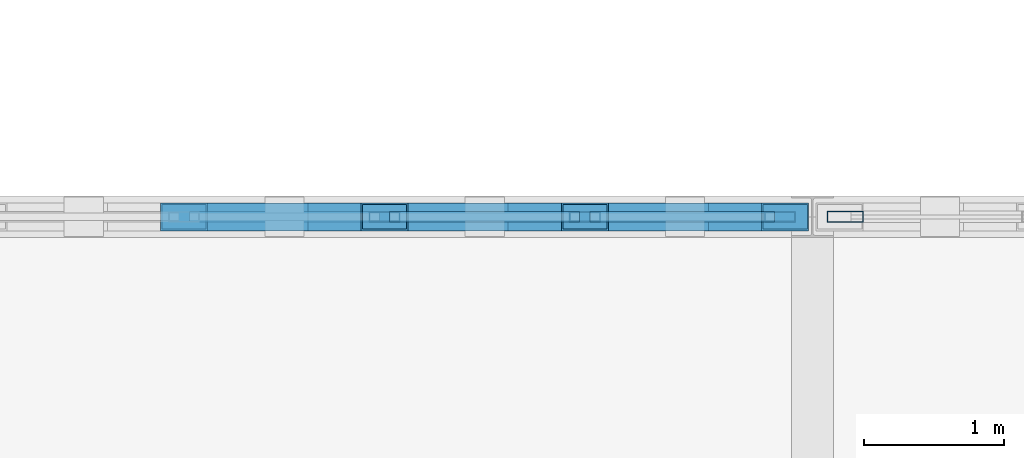
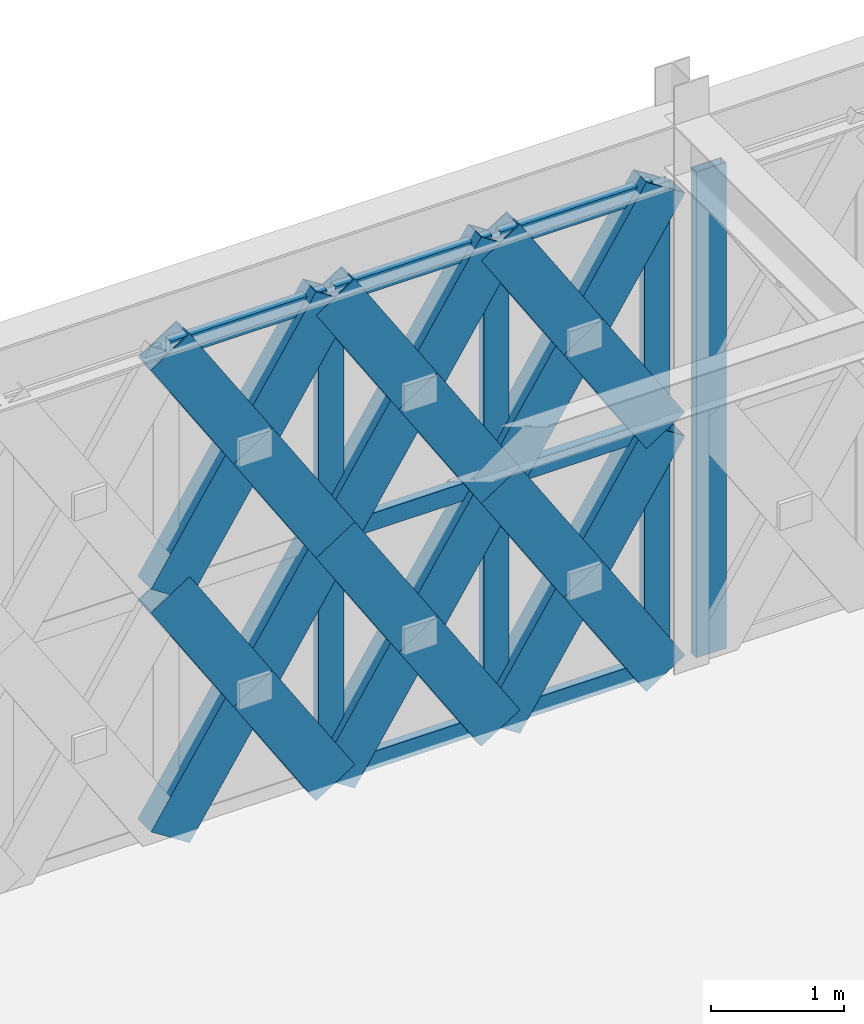
# One storey, part 84 of 155: 29 members, 2 elements without a shape of their own.
"""IFC4 building model written with IfcOpenShell, lengths in metres."""

from ifc_helpers import new_model, si_unit, direction, frame, origin, origin_2d, place, context, subcontext, project, spatial, hollow_rectangle, extrude, material, material_profile, profile_set, type_object, element, aggregate, save


model = new_model("IFC4")

# Units and contexts
model_context = context("Model", 3, precision=1e-05, world=origin(), true_north=direction((0.0, 1.0)))
body_context = subcontext(model_context, "Body", "Model", "MODEL_VIEW")
ifc_project = project(units=[si_unit("LENGTHUNIT", "METRE"), si_unit("AREAUNIT", "SQUARE_METRE"), si_unit("VOLUMEUNIT", "CUBIC_METRE"), si_unit("PLANEANGLEUNIT", "RADIAN"), si_unit("MASSUNIT", "GRAM", prefix="KILO")], contexts=[model_context])

# Site, building, storey
site_placement = place(None, origin())
site = spatial("IfcSite", under=ifc_project, at=site_placement, CompositionType="ELEMENT")
building_placement = place(site_placement, origin())
building = spatial("IfcBuilding", under=site, at=building_placement, Name="Haizhuo Lancet Aquarium", CompositionType="ELEMENT")
storey_placement = place(building_placement, frame((0.0, 0.0, 10.800048828125)))
storey = spatial("IfcBuildingStorey", under=building, at=storey_placement, Name="L02", CompositionType="ELEMENT", Elevation=10.800048828125)

# Curtain wall, members
ifc_material_1 = material(Name="Aluminium 6063-T6", Category="aluminium")
curtain_wall_type = type_object("IfcCurtainWallType", Name="CWD-8610x4460", PredefinedType="NOTDEFINED", material=ifc_material_1)
curtain_wall_1_placement = place(storey_placement, origin())
curtain_wall_1 = element("IfcCurtainWall", 1, at=curtain_wall_1_placement, inside=storey, type_object=curtain_wall_type, Name="L02 curtain wall CW-V7-L02-296", PredefinedType="NOTDEFINED")
ifc_material_profile_1 = material_profile(ifc_material_1, hollow_rectangle(XDim=0.074951171875, YDim=0.219970703125, WallThickness=0.0048828125, at=origin_2d()), Name="ALU-M 75x220x5")
ifc_profile_set_1 = profile_set([ifc_material_profile_1], Name="Aluminium 6063-T6")
member_type_1 = type_object("IfcMemberType", Name="CW-MUL-2", PredefinedType="MULLION", material=ifc_profile_set_1)
member_1_placement = place(storey_placement, frame((41.93505859375, 36.0, 0.0), z_axis=(0.0, 0.0, 1.0), x_axis=(0.0, 1.0, 0.0)))
member_1 = element("IfcMember", 2, at=member_1_placement, type_object=member_type_1, Name="CWD-86x44 mullion 5", PredefinedType="MULLION", context=body_context, shape_type="SweptSolid", body=[
    extrude(hollow_rectangle(XDim=0.074951171875, YDim=0.219970703125, WallThickness=0.0048828125, at=origin_2d()), origin(), (0.0, 0.0, 1.0), 4.4619140625),
])
member_2_placement = place(storey_placement, frame((43.3701171875, 36.0, 0.0), z_axis=(0.0, 0.0, 1.0), x_axis=(0.0, 1.0, 0.0)))
member_2 = element("IfcMember", 3, at=member_2_placement, type_object=member_type_1, Name="CWD-86x44 mullion 6", PredefinedType="MULLION", context=body_context, shape_type="SweptSolid", body=[
    extrude(hollow_rectangle(XDim=0.074951171875, YDim=0.219970703125, WallThickness=0.0048828125, at=origin_2d()), origin(), (0.0, 0.0, 1.0), 4.4619140625),
])
member_3_placement = place(storey_placement, frame((44.76708984375, 36.0, 0.0), z_axis=(0.0, 0.0, 1.0), x_axis=(0.0, 1.0, 0.0)))
member_3 = element("IfcMember", 4, at=member_3_placement, type_object=member_type_1, Name="CWD-86x44 mullion 7", PredefinedType="MULLION", context=body_context, shape_type="SweptSolid", body=[
    extrude(hollow_rectangle(XDim=0.074951171875, YDim=0.219970703125, WallThickness=0.0048828125, at=origin_2d()), origin(), (0.0, 0.0, 1.0), 4.4619140625),
])

# Curtain wall, member
curtain_wall_2_placement = place(storey_placement, origin())
curtain_wall_2 = element("IfcCurtainWall", 5, at=curtain_wall_2_placement, inside=storey, type_object=curtain_wall_type, Name="L02 curtain wall CW-V7-L02-297", PredefinedType="NOTDEFINED")
ifc_material_profile_2 = material_profile(ifc_material_1, hollow_rectangle(XDim=0.080078125, YDim=0.260009765625, WallThickness=0.0048828125, at=origin_2d()), Name="ALU-M 80x260x5")
ifc_profile_set_2 = profile_set([ifc_material_profile_2], Name="Aluminium 6063-T6")
member_type_2 = type_object("IfcMemberType", Name="CW-MUL-3", PredefinedType="MULLION", material=ifc_profile_set_2)
member_4_placement = place(storey_placement, frame((45.235107421875, 36.0, 0.0), z_axis=(0.0, 0.0, 1.0), x_axis=(0.0, 1.0, 0.0)))
member_4 = element("IfcMember", 6, at=member_4_placement, type_object=member_type_2, Name="CWD-86x44 mullion 1", PredefinedType="MULLION", context=body_context, shape_type="SweptSolid", body=[
    extrude(hollow_rectangle(XDim=0.080078125, YDim=0.260009765625, WallThickness=0.0048828125, at=origin_2d()), origin(), (0.0, 0.0, 1.0), 4.4619140625),
])
aggregate(curtain_wall_2, [member_4])

# Member
ifc_material_profile_3 = material_profile(ifc_material_1, hollow_rectangle(XDim=0.074951171875, YDim=0.159912109375, WallThickness=0.00390625, at=origin_2d()), Name="ALU-T 75x160x4")
ifc_profile_set_3 = profile_set([ifc_material_profile_3], Name="Aluminium 6063-T6")
member_type_3 = type_object("IfcMemberType", Name="CW-TRN-2", PredefinedType="NOTDEFINED", material=ifc_profile_set_3)
member_5_placement = place(storey_placement, frame((40.5380859375, 36.0, 4.425048828125), z_axis=(1.0, 0.0, 0.0), x_axis=(0.0, 1.0, 0.0)))
member_5 = element("IfcMember", 7, at=member_5_placement, type_object=member_type_3, Name="CWD-86x44 transom 4.3", ObjectType="TRANSOM", PredefinedType="USERDEFINED", context=body_context, shape_type="SweptSolid", body=[
    extrude(hollow_rectangle(XDim=0.074951171875, YDim=0.159912109375, WallThickness=0.00390625, at=origin_2d()), origin(), (0.0, 0.0, 1.0), 1.35986328125),
])

member_6_placement = place(storey_placement, frame((41.971923828125, 36.0, 0.037841796875), z_axis=(1.0, 0.0, 0.0), x_axis=(0.0, 1.0, 0.0)))
member_6 = element("IfcMember", 8, at=member_6_placement, type_object=member_type_3, Name="CWD-86x44 transom 5.1", ObjectType="TRANSOM", PredefinedType="USERDEFINED", context=body_context, shape_type="SweptSolid", body=[
    extrude(hollow_rectangle(XDim=0.074951171875, YDim=0.159912109375, WallThickness=0.00390625, at=origin_2d()), origin(), (0.0, 0.0, 1.0), 1.360107421875),
])

member_7_placement = place(storey_placement, frame((41.971923828125, 36.0, 2.23095703125), z_axis=(1.0, 0.0, 0.0), x_axis=(0.0, 1.0, 0.0)))
member_7 = element("IfcMember", 9, at=member_7_placement, type_object=member_type_3, Name="CWD-86x44 transom 5.2", ObjectType="TRANSOM", PredefinedType="USERDEFINED", context=body_context, shape_type="SweptSolid", body=[
    extrude(hollow_rectangle(XDim=0.074951171875, YDim=0.159912109375, WallThickness=0.00390625, at=origin_2d()), origin(), (0.0, 0.0, 1.0), 1.360107421875),
])

member_8_placement = place(storey_placement, frame((41.971923828125, 36.0, 4.425048828125), z_axis=(1.0, 0.0, 0.0), x_axis=(0.0, 1.0, 0.0)))
member_8 = element("IfcMember", 10, at=member_8_placement, type_object=member_type_3, Name="CWD-86x44 transom 5.3", ObjectType="TRANSOM", PredefinedType="USERDEFINED", context=body_context, shape_type="SweptSolid", body=[
    extrude(hollow_rectangle(XDim=0.074951171875, YDim=0.159912109375, WallThickness=0.00390625, at=origin_2d()), origin(), (0.0, 0.0, 1.0), 1.360107421875),
])

member_9_placement = place(storey_placement, frame((43.406982421875, 36.0, 0.037841796875), z_axis=(1.0, 0.0, 0.0), x_axis=(0.0, 1.0, 0.0)))
member_9 = element("IfcMember", 11, at=member_9_placement, type_object=member_type_3, Name="CWD-86x44 transom 6.1", ObjectType="TRANSOM", PredefinedType="USERDEFINED", context=body_context, shape_type="SweptSolid", body=[
    extrude(hollow_rectangle(XDim=0.074951171875, YDim=0.159912109375, WallThickness=0.00390625, at=origin_2d()), origin(), (0.0, 0.0, 1.0), 1.322998046875),
])

member_10_placement = place(storey_placement, frame((43.406982421875, 36.0, 2.23095703125), z_axis=(1.0, 0.0, 0.0), x_axis=(0.0, 1.0, 0.0)))
member_10 = element("IfcMember", 12, at=member_10_placement, type_object=member_type_3, Name="CWD-86x44 transom 6.2", ObjectType="TRANSOM", PredefinedType="USERDEFINED", context=body_context, shape_type="SweptSolid", body=[
    extrude(hollow_rectangle(XDim=0.074951171875, YDim=0.159912109375, WallThickness=0.00390625, at=origin_2d()), origin(), (0.0, 0.0, 1.0), 1.322998046875),
])

member_11_placement = place(storey_placement, frame((43.406982421875, 36.0, 4.425048828125), z_axis=(1.0, 0.0, 0.0), x_axis=(0.0, 1.0, 0.0)))
member_11 = element("IfcMember", 13, at=member_11_placement, type_object=member_type_3, Name="CWD-86x44 transom 6.3", ObjectType="TRANSOM", PredefinedType="USERDEFINED", context=body_context, shape_type="SweptSolid", body=[
    extrude(hollow_rectangle(XDim=0.074951171875, YDim=0.159912109375, WallThickness=0.00390625, at=origin_2d()), origin(), (0.0, 0.0, 1.0), 1.322998046875),
])

aggregate(curtain_wall_1, [member_1, member_2, member_3, member_5, member_6, member_7, member_8, member_9, member_10, member_11])

# Members
ifc_material_2 = material(Name="Steel S355", Category="steel")
ifc_material_profile_4 = material_profile(ifc_material_2, hollow_rectangle(XDim=0.199951171875, YDim=0.39990234375, WallThickness=0.011962890625, at=origin_2d()), Name="RHS 200x400x12")
ifc_profile_set_4 = profile_set([ifc_material_profile_4], Name="Steel S355")
member_type_4 = type_object("IfcMemberType", Name="MEM-LB-RHS200x400", PredefinedType="BRACE", material=ifc_profile_set_4)
member_12_placement = place(storey_placement, frame((40.5, 36.0, 0.0), z_axis=(0.540990153687, 0.0, 0.841028925551), x_axis=(0.0, 1.0, 0.0)))
element("IfcMember", 14, at=member_12_placement, inside=storey, type_object=member_type_4, Name="Gothic lancet continuous diagonal brace CW-V7-L02-296 7A", PredefinedType="BRACE", context=body_context, shape_type="SweptSolid", body=[
    extrude(hollow_rectangle(XDim=0.199951171875, YDim=0.39990234375, WallThickness=0.011962890625, at=origin_2d()), origin(), (0.0, 0.0, 1.0), 2.652587890625),
])
member_13_placement = place(storey_placement, frame((41.93505859375, 36.0, 0.0), z_axis=(-0.540562228578, 0.0, 0.84130403365), x_axis=(0.0, -1.0, 0.0)))
element("IfcMember", 15, at=member_13_placement, inside=storey, type_object=member_type_4, Name="Gothic lancet split diagonal brace CW-V7-L02-296 7B1", PredefinedType="BRACE", context=body_context, shape_type="SweptSolid", body=[
    extrude(hollow_rectangle(XDim=0.199951171875, YDim=0.39990234375, WallThickness=0.011962890625, at=origin_2d()), origin(), (0.0, 0.0, 1.0), 1.326416015625),
])
member_14_placement = place(storey_placement, frame((41.218017578125, 36.0, 1.115966796875), z_axis=(-0.541418033285, 0.0, 0.840753538936), x_axis=(0.0, -1.0, 0.0)))
element("IfcMember", 16, at=member_14_placement, inside=storey, type_object=member_type_4, Name="Gothic lancet split diagonal brace CW-V7-L02-296 7B2", PredefinedType="BRACE", context=body_context, shape_type="SweptSolid", body=[
    extrude(hollow_rectangle(XDim=0.199951171875, YDim=0.39990234375, WallThickness=0.011962890625, at=origin_2d()), origin(), (0.0, 0.0, 1.0), 1.326171875),
])
member_15_placement = place(storey_placement, frame((40.5, 36.0, 2.23095703125), z_axis=(0.540990153687, 0.0, 0.841028925551), x_axis=(0.0, 1.0, 0.0)))
element("IfcMember", 17, at=member_15_placement, inside=storey, type_object=member_type_4, Name="Gothic lancet continuous diagonal brace CW-V7-L02-296 8A", PredefinedType="BRACE", context=body_context, shape_type="SweptSolid", body=[
    extrude(hollow_rectangle(XDim=0.199951171875, YDim=0.39990234375, WallThickness=0.011962890625, at=origin_2d()), origin(), (0.0, 0.0, 1.0), 2.652587890625),
])
member_16_placement = place(storey_placement, frame((41.93505859375, 36.0, 2.23095703125), z_axis=(-0.540897204727, 0.0, 0.841088707521), x_axis=(0.0, -1.0, 0.0)))
element("IfcMember", 18, at=member_16_placement, inside=storey, type_object=member_type_4, Name="Gothic lancet split diagonal brace CW-V7-L02-296 8B1", PredefinedType="BRACE", context=body_context, shape_type="SweptSolid", body=[
    extrude(hollow_rectangle(XDim=0.199951171875, YDim=0.39990234375, WallThickness=0.011962890625, at=origin_2d()), origin(), (0.0, 0.0, 1.0), 1.32568359375),
])
member_17_placement = place(storey_placement, frame((41.218017578125, 36.0, 3.345947265625), z_axis=(-0.541083001516, 0.0, 0.840969194127), x_axis=(0.0, -1.0, 0.0)))
element("IfcMember", 19, at=member_17_placement, inside=storey, type_object=member_type_4, Name="Gothic lancet split diagonal brace CW-V7-L02-296 8B2", PredefinedType="BRACE", context=body_context, shape_type="SweptSolid", body=[
    extrude(hollow_rectangle(XDim=0.199951171875, YDim=0.39990234375, WallThickness=0.011962890625, at=origin_2d()), origin(), (0.0, 0.0, 1.0), 1.326904296875),
])
member_18_placement = place(storey_placement, frame((41.93505859375, 36.0, 0.0), z_axis=(0.540990153687, 0.0, 0.841028925551), x_axis=(0.0, 1.0, 0.0)))
element("IfcMember", 20, at=member_18_placement, inside=storey, type_object=member_type_4, Name="Gothic lancet continuous diagonal brace CW-V7-L02-296 9A", PredefinedType="BRACE", context=body_context, shape_type="SweptSolid", body=[
    extrude(hollow_rectangle(XDim=0.199951171875, YDim=0.39990234375, WallThickness=0.011962890625, at=origin_2d()), origin(), (0.0, 0.0, 1.0), 2.652587890625),
])
member_19_placement = place(storey_placement, frame((43.3701171875, 36.0, 0.0), z_axis=(-0.540562228578, 0.0, 0.84130403365), x_axis=(0.0, -1.0, 0.0)))
element("IfcMember", 21, at=member_19_placement, inside=storey, type_object=member_type_4, Name="Gothic lancet split diagonal brace CW-V7-L02-296 9B1", PredefinedType="BRACE", context=body_context, shape_type="SweptSolid", body=[
    extrude(hollow_rectangle(XDim=0.199951171875, YDim=0.39990234375, WallThickness=0.011962890625, at=origin_2d()), origin(), (0.0, 0.0, 1.0), 1.326416015625),
])
member_20_placement = place(storey_placement, frame((42.653076171875, 36.0, 1.115966796875), z_axis=(-0.541418033285, 0.0, 0.840753538936), x_axis=(0.0, -1.0, 0.0)))
element("IfcMember", 22, at=member_20_placement, inside=storey, type_object=member_type_4, Name="Gothic lancet split diagonal brace CW-V7-L02-296 9B2", PredefinedType="BRACE", context=body_context, shape_type="SweptSolid", body=[
    extrude(hollow_rectangle(XDim=0.199951171875, YDim=0.39990234375, WallThickness=0.011962890625, at=origin_2d()), origin(), (0.0, 0.0, 1.0), 1.326171875),
])
member_21_placement = place(storey_placement, frame((41.93505859375, 36.0, 2.23095703125), z_axis=(0.540990153687, 0.0, 0.841028925551), x_axis=(0.0, 1.0, 0.0)))
element("IfcMember", 23, at=member_21_placement, inside=storey, type_object=member_type_4, Name="Gothic lancet continuous diagonal brace CW-V7-L02-296 10A", PredefinedType="BRACE", context=body_context, shape_type="SweptSolid", body=[
    extrude(hollow_rectangle(XDim=0.199951171875, YDim=0.39990234375, WallThickness=0.011962890625, at=origin_2d()), origin(), (0.0, 0.0, 1.0), 2.652587890625),
])
member_22_placement = place(storey_placement, frame((43.3701171875, 36.0, 2.23095703125), z_axis=(-0.540897204727, 0.0, 0.841088707521), x_axis=(0.0, -1.0, 0.0)))
element("IfcMember", 24, at=member_22_placement, inside=storey, type_object=member_type_4, Name="Gothic lancet split diagonal brace CW-V7-L02-296 10B1", PredefinedType="BRACE", context=body_context, shape_type="SweptSolid", body=[
    extrude(hollow_rectangle(XDim=0.199951171875, YDim=0.39990234375, WallThickness=0.011962890625, at=origin_2d()), origin(), (0.0, 0.0, 1.0), 1.32568359375),
])
member_23_placement = place(storey_placement, frame((42.653076171875, 36.0, 3.345947265625), z_axis=(-0.541083001516, 0.0, 0.840969194127), x_axis=(0.0, -1.0, 0.0)))
element("IfcMember", 25, at=member_23_placement, inside=storey, type_object=member_type_4, Name="Gothic lancet split diagonal brace CW-V7-L02-296 10B2", PredefinedType="BRACE", context=body_context, shape_type="SweptSolid", body=[
    extrude(hollow_rectangle(XDim=0.199951171875, YDim=0.39990234375, WallThickness=0.011962890625, at=origin_2d()), origin(), (0.0, 0.0, 1.0), 1.326904296875),
])
member_24_placement = place(storey_placement, frame((43.3701171875, 36.0, 0.0), z_axis=(0.540925048726, 0.0, 0.841070800623), x_axis=(0.0, 1.0, 0.0)))
element("IfcMember", 26, at=member_24_placement, inside=storey, type_object=member_type_4, Name="Gothic lancet continuous diagonal brace CW-V7-L02-296 11A", PredefinedType="BRACE", context=body_context, shape_type="SweptSolid", body=[
    extrude(hollow_rectangle(XDim=0.199951171875, YDim=0.39990234375, WallThickness=0.011962890625, at=origin_2d()), origin(), (0.0, 0.0, 1.0), 2.652587890625),
])
member_25_placement = place(storey_placement, frame((44.804931640625, 36.0, 0.0), z_axis=(-0.541083001516, 0.0, 0.840969194127), x_axis=(0.0, -1.0, 0.0)))
element("IfcMember", 27, at=member_25_placement, inside=storey, type_object=member_type_4, Name="Gothic lancet split diagonal brace CW-V7-L02-296 11B1", PredefinedType="BRACE", context=body_context, shape_type="SweptSolid", body=[
    extrude(hollow_rectangle(XDim=0.199951171875, YDim=0.39990234375, WallThickness=0.011962890625, at=origin_2d()), origin(), (0.0, 0.0, 1.0), 1.326904296875),
])
member_26_placement = place(storey_placement, frame((44.0869140625, 36.0, 1.115966796875), z_axis=(-0.540766900265, 0.0, 0.841172490978), x_axis=(0.0, -1.0, 0.0)))
element("IfcMember", 28, at=member_26_placement, inside=storey, type_object=member_type_4, Name="Gothic lancet split diagonal brace CW-V7-L02-296 11B2", PredefinedType="BRACE", context=body_context, shape_type="SweptSolid", body=[
    extrude(hollow_rectangle(XDim=0.199951171875, YDim=0.39990234375, WallThickness=0.011962890625, at=origin_2d()), origin(), (0.0, 0.0, 1.0), 1.325439453125),
])
member_27_placement = place(storey_placement, frame((43.3701171875, 36.0, 2.23095703125), z_axis=(0.540925048726, 0.0, 0.841070800623), x_axis=(0.0, 1.0, 0.0)))
element("IfcMember", 29, at=member_27_placement, inside=storey, type_object=member_type_4, Name="Gothic lancet continuous diagonal brace CW-V7-L02-296 12A", PredefinedType="BRACE", context=body_context, shape_type="SweptSolid", body=[
    extrude(hollow_rectangle(XDim=0.199951171875, YDim=0.39990234375, WallThickness=0.011962890625, at=origin_2d()), origin(), (0.0, 0.0, 1.0), 2.652587890625),
])
member_28_placement = place(storey_placement, frame((44.804931640625, 36.0, 2.23095703125), z_axis=(-0.541418033285, 0.0, 0.840753538936), x_axis=(0.0, -1.0, 0.0)))
element("IfcMember", 30, at=member_28_placement, inside=storey, type_object=member_type_4, Name="Gothic lancet split diagonal brace CW-V7-L02-296 12B1", PredefinedType="BRACE", context=body_context, shape_type="SweptSolid", body=[
    extrude(hollow_rectangle(XDim=0.199951171875, YDim=0.39990234375, WallThickness=0.011962890625, at=origin_2d()), origin(), (0.0, 0.0, 1.0), 1.326171875),
])
member_29_placement = place(storey_placement, frame((44.0869140625, 36.0, 3.345947265625), z_axis=(-0.540431938152, 0.0, 0.841387734772), x_axis=(0.0, -1.0, 0.0)))
element("IfcMember", 31, at=member_29_placement, inside=storey, type_object=member_type_4, Name="Gothic lancet split diagonal brace CW-V7-L02-296 12B2", PredefinedType="BRACE", context=body_context, shape_type="SweptSolid", body=[
    extrude(hollow_rectangle(XDim=0.199951171875, YDim=0.39990234375, WallThickness=0.011962890625, at=origin_2d()), origin(), (0.0, 0.0, 1.0), 1.326416015625),
])

save(model, "model.ifc")
